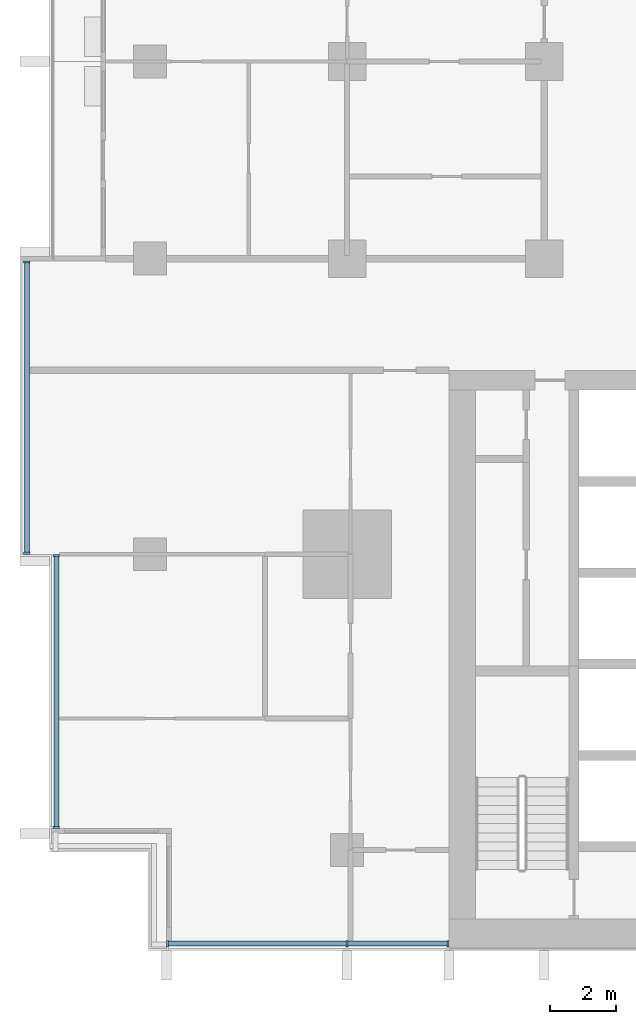
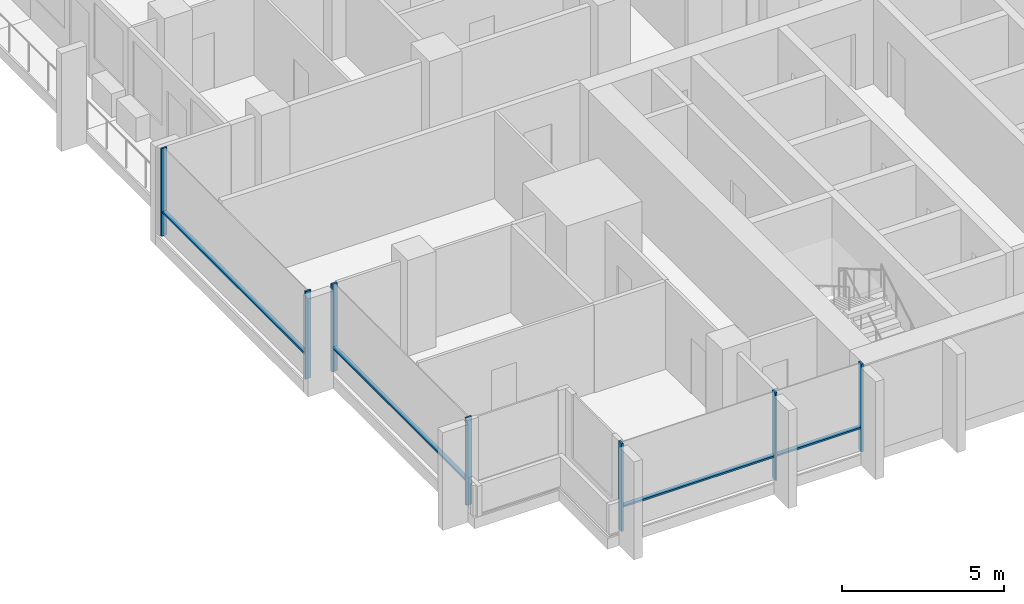
# One storey, part 2 of 19: 11 members, 3 elements without a shape of their own.
"""IFC4 building model written with IfcOpenShell, lengths in metres."""

from ifc_helpers import new_model, si_unit, direction, frame, origin, origin_2d, place, context, subcontext, project, spatial, rectangle, extrude, material, material_profile, profile_set, type_object, element, aggregate, save


model = new_model("IFC4")

# Units and contexts
model_context = context("Model", 3, precision=1e-05, world=origin(), true_north=direction((0.0, 1.0)))
body_context = subcontext(model_context, "Body", "Model", "MODEL_VIEW")
ifc_project = project(units=[si_unit("LENGTHUNIT", "METRE"), si_unit("AREAUNIT", "SQUARE_METRE"), si_unit("VOLUMEUNIT", "CUBIC_METRE"), si_unit("PLANEANGLEUNIT", "RADIAN"), si_unit("MASSUNIT", "GRAM", prefix="KILO")], contexts=[model_context])

# Site, building, storey
site_placement = place(None, origin())
site = spatial("IfcSite", under=ifc_project, at=site_placement, CompositionType="ELEMENT")
building_placement = place(site_placement, origin())
building = spatial("IfcBuilding", under=site, at=building_placement, Name="Finial Court Residences", CompositionType="ELEMENT")
storey_placement = place(building_placement, frame((0.0, 0.0, 81.10009765625)))
storey = spatial("IfcBuildingStorey", under=building, at=storey_placement, Name="L19", CompositionType="ELEMENT", Elevation=81.10009765625)

# Curtain wall, members
ifc_material = material(Name="Bronze anodised aluminium", Category="aluminium")
curtain_wall_type = type_object("IfcCurtainWallType", Name="Unitised curtain wall, lower and middle zones", PredefinedType="NOTDEFINED", material=ifc_material)
curtain_wall_1_placement = place(storey_placement, origin())
curtain_wall_1 = element("IfcCurtainWall", 1, at=curtain_wall_1_placement, inside=storey, type_object=curtain_wall_type, Name="E-L19-CW-S6", PredefinedType="NOTDEFINED")
ifc_material_profile_1 = material_profile(ifc_material, rectangle(XDim=0.199951171875, YDim=0.06494140625, at=origin_2d()), Name="CW1 mullion 65 x 200")
ifc_profile_set_1 = profile_set([ifc_material_profile_1], Name="Bronze anodised aluminium")
member_type_1 = type_object("IfcMemberType", Name="CW1 mullion 65 x 200", PredefinedType="MULLION", material=ifc_profile_set_1)
member_1_placement = place(storey_placement, frame((-21.967529296875, -25.35009765625, 0.0), z_axis=(0.0, 0.0, 1.0), x_axis=(0.0, 1.0, 0.0)))
member_1 = element("IfcMember", 2, at=member_1_placement, type_object=member_type_1, Name="CW1 mullion 1", PredefinedType="MULLION", context=body_context, shape_type="SweptSolid", body=[
    extrude(rectangle(XDim=0.199951171875, YDim=0.06494140625, at=origin_2d()), origin(), (0.0, 0.0, 1.0), 3.2998046875),
])
member_2_placement = place(storey_placement, frame((-16.5, -25.35009765625, 0.0), z_axis=(0.0, 0.0, 1.0), x_axis=(0.0, 1.0, 0.0)))
member_2 = element("IfcMember", 3, at=member_2_placement, type_object=member_type_1, Name="CW1 mullion 2", PredefinedType="MULLION", context=body_context, shape_type="SweptSolid", body=[
    extrude(rectangle(XDim=0.199951171875, YDim=0.06494140625, at=origin_2d()), origin(), (0.0, 0.0, 1.0), 3.2998046875),
])
member_3_placement = place(storey_placement, frame((-13.4326171875, -25.35009765625, 0.0), z_axis=(0.0, 0.0, 1.0), x_axis=(0.0, 1.0, 0.0)))
member_3 = element("IfcMember", 4, at=member_3_placement, type_object=member_type_1, Name="CW1 mullion 3", PredefinedType="MULLION", context=body_context, shape_type="SweptSolid", body=[
    extrude(rectangle(XDim=0.199951171875, YDim=0.06494140625, at=origin_2d()), origin(), (0.0, 0.0, 1.0), 3.2998046875),
])

curtain_wall_2_placement = place(storey_placement, origin())
curtain_wall_2 = element("IfcCurtainWall", 5, at=curtain_wall_2_placement, inside=storey, type_object=curtain_wall_type, Name="E-L19-CW-W8", PredefinedType="NOTDEFINED")
member_4_placement = place(storey_placement, frame((-25.35009765625, -21.8173828125, 0.0), z_axis=(0.0, 0.0, 1.0), x_axis=(-1.0, 0.0, 0.0)))
member_4 = element("IfcMember", 6, at=member_4_placement, type_object=member_type_1, Name="CW1 mullion 1", PredefinedType="MULLION", context=body_context, shape_type="SweptSolid", body=[
    extrude(rectangle(XDim=0.199951171875, YDim=0.06494140625, at=origin_2d()), origin(), (0.0, 0.0, 1.0), 3.2998046875),
])
member_5_placement = place(storey_placement, frame((-25.35009765625, -13.532470703125, 0.0), z_axis=(0.0, 0.0, 1.0), x_axis=(-1.0, 0.0, 0.0)))
member_5 = element("IfcMember", 7, at=member_5_placement, type_object=member_type_1, Name="CW1 mullion 2", PredefinedType="MULLION", context=body_context, shape_type="SweptSolid", body=[
    extrude(rectangle(XDim=0.199951171875, YDim=0.06494140625, at=origin_2d()), origin(), (0.0, 0.0, 1.0), 3.2998046875),
])

curtain_wall_3_placement = place(storey_placement, origin())
curtain_wall_3 = element("IfcCurtainWall", 8, at=curtain_wall_3_placement, inside=storey, type_object=curtain_wall_type, Name="E-L19-CW-W9", PredefinedType="NOTDEFINED")
member_6_placement = place(storey_placement, frame((-26.25, -13.467529296875, 0.0), z_axis=(0.0, 0.0, 1.0), x_axis=(-1.0, 0.0, 0.0)))
member_6 = element("IfcMember", 9, at=member_6_placement, type_object=member_type_1, Name="CW1 mullion 1", PredefinedType="MULLION", context=body_context, shape_type="SweptSolid", body=[
    extrude(rectangle(XDim=0.199951171875, YDim=0.06494140625, at=origin_2d()), origin(), (0.0, 0.0, 1.0), 3.2998046875),
])
member_7_placement = place(storey_placement, frame((-26.25, -4.607421875, 0.0), z_axis=(0.0, 0.0, 1.0), x_axis=(-1.0, 0.0, 0.0)))
member_7 = element("IfcMember", 10, at=member_7_placement, type_object=member_type_1, Name="CW1 mullion 2", PredefinedType="MULLION", context=body_context, shape_type="SweptSolid", body=[
    extrude(rectangle(XDim=0.199951171875, YDim=0.06494140625, at=origin_2d()), origin(), (0.0, 0.0, 1.0), 3.2998046875),
])

# Member
ifc_material_profile_2 = material_profile(ifc_material, rectangle(XDim=0.14990234375, YDim=0.06494140625, at=origin_2d()), Name="CW1 transom 65 x 150")
ifc_profile_set_2 = profile_set([ifc_material_profile_2], Name="Bronze anodised aluminium")
member_type_2 = type_object("IfcMemberType", Name="CW1 transom 65 x 150", PredefinedType="USERDEFINED", material=ifc_profile_set_2)
member_8_placement = place(storey_placement, frame((-21.93505859375, -25.35009765625, 0.89990234375), z_axis=(1.0, 0.0, 0.0), x_axis=(0.0, 1.0, 0.0)))
member_8 = element("IfcMember", 11, at=member_8_placement, type_object=member_type_2, Name="CW1 transom 1.1", ObjectType="TRANSOM", PredefinedType="USERDEFINED", context=body_context, shape_type="SweptSolid", body=[
    extrude(rectangle(XDim=0.14990234375, YDim=0.06494140625, at=origin_2d()), origin(), (0.0, 0.0, 1.0), 5.402587890625),
])

member_9_placement = place(storey_placement, frame((-16.467529296875, -25.35009765625, 0.89990234375), z_axis=(1.0, 0.0, 0.0), x_axis=(0.0, 1.0, 0.0)))
member_9 = element("IfcMember", 12, at=member_9_placement, type_object=member_type_2, Name="CW1 transom 2.1", ObjectType="TRANSOM", PredefinedType="USERDEFINED", context=body_context, shape_type="SweptSolid", body=[
    extrude(rectangle(XDim=0.14990234375, YDim=0.06494140625, at=origin_2d()), origin(), (0.0, 0.0, 1.0), 3.00244140625),
])

aggregate(curtain_wall_1, [member_1, member_2, member_3, member_8, member_9])

member_10_placement = place(storey_placement, frame((-25.35009765625, -21.784912109375, 0.89990234375), z_axis=(0.0, 1.0, 0.0), x_axis=(-1.0, 0.0, 0.0)))
member_10 = element("IfcMember", 13, at=member_10_placement, type_object=member_type_2, Name="CW1 transom 1.1", ObjectType="TRANSOM", PredefinedType="USERDEFINED", context=body_context, shape_type="SweptSolid", body=[
    extrude(rectangle(XDim=0.14990234375, YDim=0.06494140625, at=origin_2d()), origin(), (0.0, 0.0, 1.0), 8.219970703125),
])

aggregate(curtain_wall_2, [member_4, member_5, member_10])

member_11_placement = place(storey_placement, frame((-26.25, -13.43505859375, 0.89990234375), z_axis=(0.0, 1.0, 0.0), x_axis=(-1.0, 0.0, 0.0)))
member_11 = element("IfcMember", 14, at=member_11_placement, type_object=member_type_2, Name="CW1 transom 1.1", ObjectType="TRANSOM", PredefinedType="USERDEFINED", context=body_context, shape_type="SweptSolid", body=[
    extrude(rectangle(XDim=0.14990234375, YDim=0.06494140625, at=origin_2d()), origin(), (0.0, 0.0, 1.0), 8.795166015625),
])

aggregate(curtain_wall_3, [member_6, member_7, member_11])

save(model, "model.ifc")
